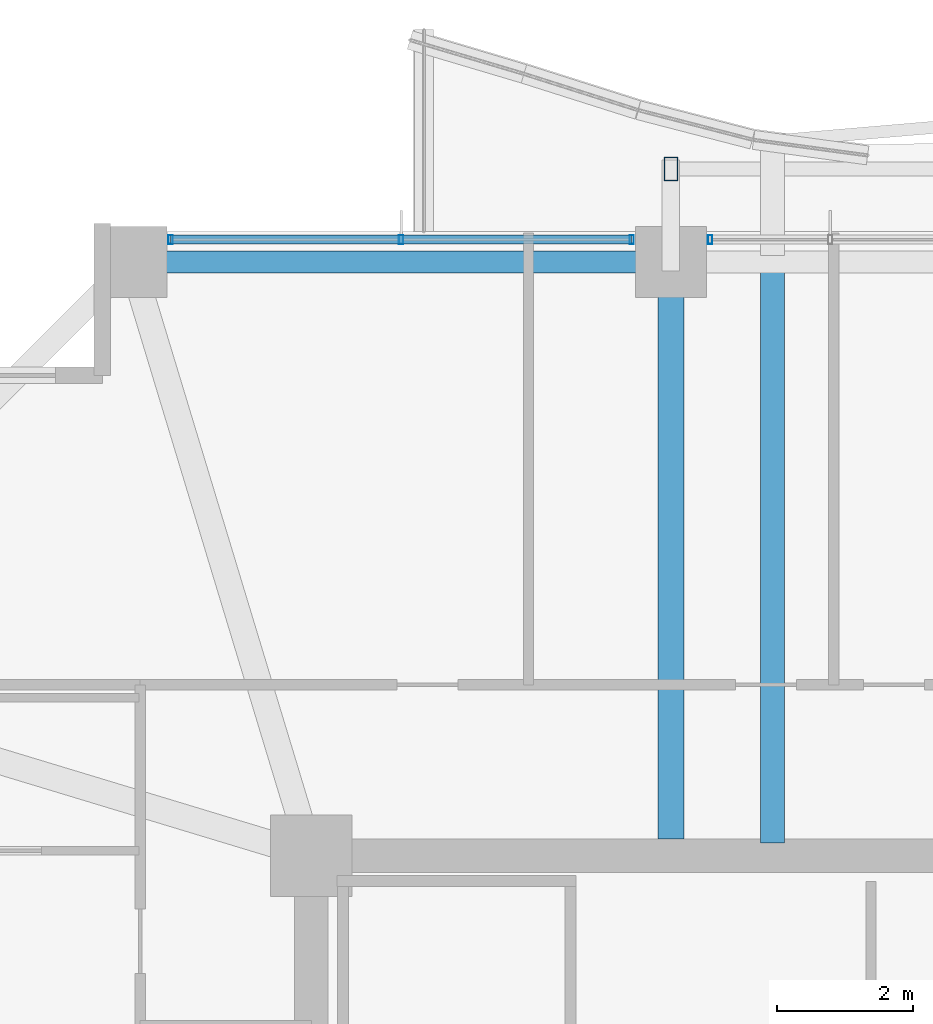
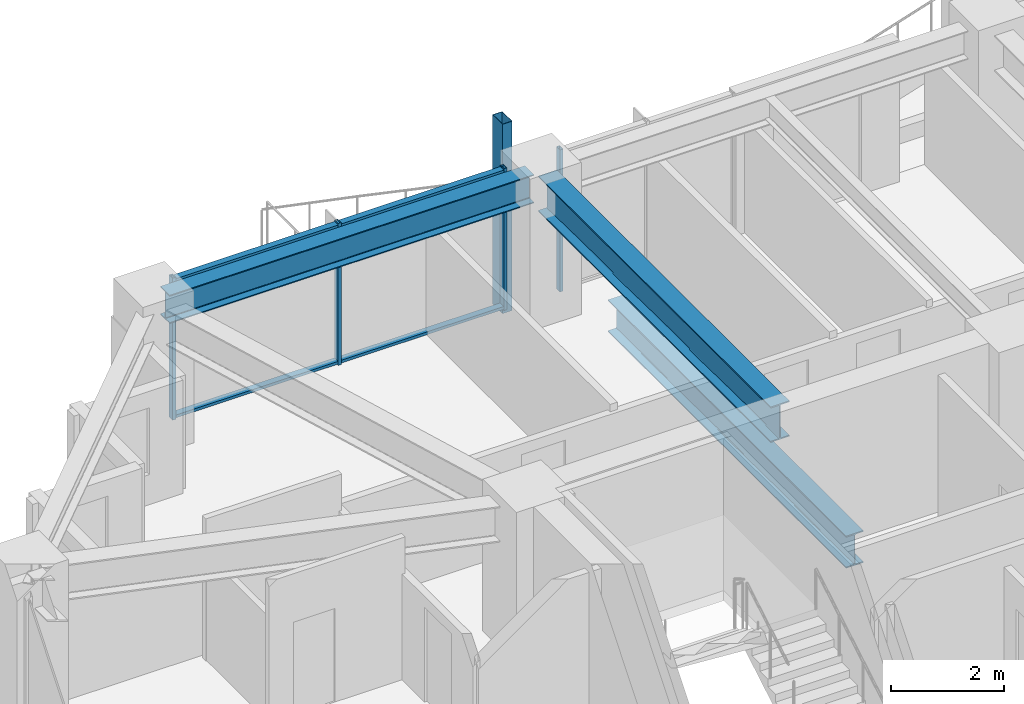
# One storey, part 17 of 34: 7 members, 3 beams, 2 elements without a shape of their own.
"""IFC4 building model written with IfcOpenShell, lengths in metres."""

import ifcopenshell
import ifcopenshell.guid

model = None  # the IFC model being written
_history = None  # IfcOwnerHistory: only IFC2X3 demands one
_inside = {}  # id of a spatial element -> (the spatial element, [elements in it])
_under = {}  # id of a project, library or spatial element -> (it, [spatial elements below it])
_declared = {}  # id of a project -> (the project, [libraries it declares])
_typed = {}  # id of a type object -> (the type object, [elements of that type])
_made_of = {}  # id of a material, layer set ... -> (it, [elements and type objects made of it])


def new_model(schema):
    """Start an empty IFC model of exactly this schema.

    Asked for "IFC4X3", IfcOpenShell would pick the latest addendum, in which some entities
    have other attributes; the version numbers below select the first issue.
    IFC2X3 requires an IfcOwnerHistory on every rooted entity: one is made here for all.
    """
    global model, _history
    if schema == "IFC4X3":
        model = ifcopenshell.file(schema_version=(4, 3, 0, 0))
    else:
        model = ifcopenshell.file(schema=schema)
    _inside.clear()
    _under.clear()
    _declared.clear()
    _typed.clear()
    _made_of.clear()
    _history = None
    if model.schema == "IFC2X3":
        org = make("IfcOrganization", Name="unknown")
        user = make(
            "IfcPersonAndOrganization",
            ThePerson=make("IfcPerson", FamilyName="unknown"),
            TheOrganization=org,
        )
        app = make(
            "IfcApplication",
            ApplicationDeveloper=org,
            Version="unknown",
            ApplicationFullName="unknown",
            ApplicationIdentifier="unknown",
        )
        _history = make(
            "IfcOwnerHistory",
            OwningUser=user,
            OwningApplication=app,
            ChangeAction="ADDED",
            CreationDate=0,
        )
    return model


def make(cls, **values):
    """One entity of the class cls with the attributes given. An attribute that is None is left unset."""
    return model.create_entity(
        cls, **{name: value for name, value in values.items() if value is not None}
    )


def rooted(cls, **values):
    """An entity with a GlobalId (a new one), such as an element, a storey or a relation."""
    return make(cls, GlobalId=ifcopenshell.guid.new(), OwnerHistory=_history, **values)


def si_unit(unit_type, name, prefix=None):
    """IfcSIUnit, for example si_unit("LENGTHUNIT", "METRE", prefix="MILLI")."""
    return make("IfcSIUnit", UnitType=unit_type, Prefix=prefix, Name=name)


def assignment(units):
    """IfcUnitAssignment: the units of a project."""
    return None if units is None else make("IfcUnitAssignment", Units=units)


def point(xyz):
    """IfcCartesianPoint."""
    return None if xyz is None else make("IfcCartesianPoint", Coordinates=xyz)


def direction(xyz):
    """IfcDirection."""
    return None if xyz is None else make("IfcDirection", DirectionRatios=xyz)


def frame(location, z_axis=None, x_axis=None):
    """IfcAxis2Placement3D, a coordinate frame: its origin and axes. An axis left out is left unset."""
    return make(
        "IfcAxis2Placement3D",
        Location=point(location),
        Axis=direction(z_axis),
        RefDirection=direction(x_axis),
    )


def frame_2d(location, x_axis=None):
    """IfcAxis2Placement2D, a coordinate frame in the plane: its origin and x axis."""
    return make(
        "IfcAxis2Placement2D", Location=point(location), RefDirection=direction(x_axis)
    )


def origin():
    """The frame at (0, 0, 0) with its axes left unset."""
    return frame((0.0, 0.0, 0.0))


def origin_2d():
    """The frame at (0, 0) in the plane with its x axis left unset."""
    return frame_2d((0.0, 0.0))


def place(relative_to, where):
    """IfcLocalPlacement: puts the frame where relative to a parent placement (None: the world)."""
    return make(
        "IfcLocalPlacement", PlacementRelTo=relative_to, RelativePlacement=where
    )


def context(
    kind, dimensions, precision=None, world=None, true_north=None, identifier=None
):
    """IfcGeometricRepresentationContext, for example the 3D "Model" context."""
    return make(
        "IfcGeometricRepresentationContext",
        ContextIdentifier=identifier,
        ContextType=kind,
        CoordinateSpaceDimension=dimensions,
        Precision=precision,
        WorldCoordinateSystem=world,
        TrueNorth=true_north,
    )


def subcontext(parent, identifier, kind, view, scale=None):
    """IfcGeometricRepresentationSubContext, for example "Body" below "Model"."""
    return make(
        "IfcGeometricRepresentationSubContext",
        ContextIdentifier=identifier,
        ContextType=kind,
        ParentContext=parent,
        TargetScale=scale,
        TargetView=view,
    )


def project(units=None, contexts=None):
    """IfcProject with its units and contexts."""
    return rooted(
        "IfcProject",
        Name="project",
        RepresentationContexts=contexts,
        UnitsInContext=assignment(units),
    )


def spatial(cls, under=None, at=None, **own):
    """A site, building, storey or space (cls), placed at a placement, below another one or the project."""
    s = rooted(cls, ObjectPlacement=at, **own)
    if under is not None:
        _under.setdefault(under.id(), (under, []))[1].append(s)
    return s


def profile(cls, at=None, kind="AREA", **sizes):
    """A parametric profile (cls). Its sizes go by their IFC names, for example OverallWidth=200.0."""
    return make(cls, ProfileType=kind, Position=at, **sizes)


def hollow_rectangle(**sizes):
    """IfcRectangleHollowProfileDef."""
    return profile("IfcRectangleHollowProfileDef", **sizes)


def i_section(**sizes):
    """IfcIShapeProfileDef."""
    return profile("IfcIShapeProfileDef", **sizes)


def extrude(swept, where, along, depth):
    """IfcExtrudedAreaSolid: the profile swept, set in the frame where, extruded along a direction by depth."""
    return make(
        "IfcExtrudedAreaSolid",
        SweptArea=swept,
        Position=where,
        ExtrudedDirection=direction(along),
        Depth=depth,
    )


def shape(context_of_items, identifier, shape_type, items):
    """IfcShapeRepresentation: the items that make up one representation, for example the "Body"."""
    return make(
        "IfcShapeRepresentation",
        ContextOfItems=context_of_items,
        RepresentationIdentifier=identifier,
        RepresentationType=shape_type,
        Items=items,
    )


def material(Name=None, Category=None):
    """IfcMaterial."""
    return make("IfcMaterial", Name=Name, Category=Category)


def material_profile(
    of_material, cross_section, Name=None, Category=None, Priority=None
):
    """IfcMaterialProfile: a cross section and its material."""
    return make(
        "IfcMaterialProfile",
        Name=Name,
        Material=of_material,
        Profile=cross_section,
        Priority=Priority,
        Category=Category,
    )


def profile_set(profiles, Name=None, composite=None):
    """IfcMaterialProfileSet."""
    return make(
        "IfcMaterialProfileSet",
        Name=Name,
        MaterialProfiles=profiles,
        CompositeProfile=composite,
    )


def made_of(thing, what):
    """Note that an element or type object is made of a material, layer set ...; save() writes the relation."""
    if what is not None:
        _made_of.setdefault(what.id(), (what, []))[1].append(thing)
    return thing


def type_object(cls, material=None, **own):
    """A type object (cls), such as IfcWallType, which elements share."""
    return made_of(rooted(cls, **own), material)


def element(
    cls,
    number,
    at=None,
    inside=None,
    cuts=None,
    type_object=None,
    material=None,
    context=None,
    identifier="Body",
    shape_type=None,
    held_by="IfcProductDefinitionShape",
    body=None,
    shapes=None,
    **own,
):
    """One element of the class cls, such as IfcWall. Its Tag is "e" and its number.

    at: its placement. inside: the storey or other place that contains it. cuts: it is an
    opening in that element (IfcRelVoidsElement). A single representation is given by context,
    identifier, shape_type and body (its items); several are given by shapes. held_by: the class
    of the entity that holds the representations. save() writes the other relations.
    """
    e = rooted(cls, Tag="e%d" % number, ObjectPlacement=at, **own)
    if body is not None:
        shapes = [shape(context, identifier, shape_type, body)]
    if shapes is not None:
        e.Representation = make(held_by, Representations=shapes)
    if inside is not None:
        _inside.setdefault(inside.id(), (inside, []))[1].append(e)
    if cuts is not None:
        rooted(
            "IfcRelVoidsElement", RelatingBuildingElement=cuts, RelatedOpeningElement=e
        )
    if type_object is not None:
        _typed.setdefault(type_object.id(), (type_object, []))[1].append(e)
    return made_of(e, material)


def aggregate(whole, parts):
    """IfcRelAggregates: a whole, such as a stair, and the parts it consists of."""
    return rooted("IfcRelAggregates", RelatingObject=whole, RelatedObjects=parts)


def save(model, path):
    """Write the relations noted so far, then the file.

    IfcRelAggregates (storeys below a building ...), IfcRelContainedInSpatialStructure (elements
    in a storey), IfcRelDefinesByType, IfcRelAssociatesMaterial and IfcRelDeclares: one each for
    every whole, place, type object, material and project.
    """
    for whole, parts in _under.values():
        aggregate(whole, parts)
    for where, things in _inside.values():
        rooted(
            "IfcRelContainedInSpatialStructure",
            RelatedElements=things,
            RelatingStructure=where,
        )
    for kind, things in _typed.values():
        rooted("IfcRelDefinesByType", RelatedObjects=things, RelatingType=kind)
    for what, things in _made_of.values():
        rooted("IfcRelAssociatesMaterial", RelatedObjects=things, RelatingMaterial=what)
    for by, libraries in _declared.values():
        rooted("IfcRelDeclares", RelatingContext=by, RelatedDefinitions=libraries)
    model.write(path)


model = new_model("IFC4")

# Units and contexts
model_context = context("Model", 3, precision=1e-05, world=origin(), true_north=direction((0.0, 1.0)))
body_context = subcontext(model_context, "Body", "Model", "MODEL_VIEW")
ifc_project = project(units=[si_unit("LENGTHUNIT", "METRE"), si_unit("AREAUNIT", "SQUARE_METRE"), si_unit("VOLUMEUNIT", "CUBIC_METRE"), si_unit("PLANEANGLEUNIT", "RADIAN"), si_unit("MASSUNIT", "GRAM", prefix="KILO")], contexts=[model_context])

# Site, building, storey
site_placement = place(None, origin())
site = spatial("IfcSite", under=ifc_project, at=site_placement, CompositionType="ELEMENT")
building_placement = place(site_placement, origin())
building = spatial("IfcBuilding", under=site, at=building_placement, Name="Kolvaren Belvedere", CompositionType="ELEMENT")
storey_placement = place(building_placement, frame((0.0, 0.0, 111.800048828125)))
storey = spatial("IfcBuildingStorey", under=building, at=storey_placement, Name="L32", CompositionType="ELEMENT", Elevation=111.800048828125)

# Beams
ifc_material_1 = material(Name="Structural steel ASTM A992 Grade 50", Category="steel")
ifc_material_profile_1 = material_profile(ifc_material_1, i_section(OverallWidth=0.35498046875, OverallDepth=0.696044921875, WebThickness=0.015380859375, FlangeThickness=0.02490234375, FilletRadius=0.02197265625, at=origin_2d()), Name="W27X146")
ifc_profile_set_1 = profile_set([ifc_material_profile_1], Name="Structural steel ASTM A992 Grade 50")
beam_type_1 = type_object("IfcBeamType", Name="BM-GIRD-W27X146", PredefinedType="BEAM", material=ifc_profile_set_1)
beam_1_placement = place(storey_placement, frame((-3.10009765625, 10.090087890625, -0.568115234375), z_axis=(0.0, 1.0, 0.0), x_axis=(-1.0, 0.0, 0.0)))
element("IfcBeam", 1, at=beam_1_placement, inside=storey, type_object=beam_type_1, Name="L32 Balcony Interior Back-Span Girder BAL-N-1", PredefinedType="BEAM", context=body_context, shape_type="SweptSolid", body=[
    extrude(i_section(OverallWidth=0.35498046875, OverallDepth=0.696044921875, WebThickness=0.015380859375, FlangeThickness=0.02490234375, FilletRadius=0.02197265625, at=origin_2d()), origin(), (0.0, 0.0, 1.0), 8.46484375),
])
ifc_material_2 = material(Name="Structural steel ASTM A992 Grade 50", Category="steel")
ifc_material_profile_2 = material_profile(ifc_material_2, i_section(OverallWidth=0.381103515625, OverallDepth=0.77294921875, WebThickness=0.0166015625, FlangeThickness=0.027099609375, FilletRadius=0.02392578125, at=origin_2d()), Name="W30X173")
ifc_profile_set_2 = profile_set([ifc_material_profile_2], Name="Structural steel ASTM A992 Grade 50")
beam_type_2 = type_object("IfcBeamType", Name="BM-GIRD-W30X173", PredefinedType="BEAM", material=ifc_profile_set_2)
beam_2_placement = place(storey_placement, frame((-4.60009765625, 10.14990234375, 2.693359375), z_axis=(0.0, 1.0, 0.0), x_axis=(-1.0, 0.0, 0.0)))
element("IfcBeam", 2, at=beam_2_placement, inside=storey, type_object=beam_type_2, Name="L32 North Radial Girder M", PredefinedType="BEAM", context=body_context, shape_type="SweptSolid", body=[
    extrude(i_section(OverallWidth=0.381103515625, OverallDepth=0.77294921875, WebThickness=0.0166015625, FlangeThickness=0.027099609375, FilletRadius=0.02392578125, at=origin_2d()), origin(), (0.0, 0.0, 1.0), 8.263916015625),
])
ifc_material_3 = material(Name="Structural steel ASTM A992 Grade 50", Category="steel")
ifc_material_profile_3 = material_profile(ifc_material_3, i_section(OverallWidth=0.324951171875, OverallDepth=0.615966796875, WebThickness=0.013916015625, FlangeThickness=0.021484375, FilletRadius=0.02001953125, at=origin_2d()), Name="W24X117")
ifc_profile_set_3 = profile_set([ifc_material_profile_3], Name="Structural steel ASTM A992 Grade 50")
beam_type_3 = type_object("IfcBeamType", Name="BM-SPAN-W24X117", PredefinedType="SPANDREL", material=ifc_profile_set_3)
beam_3_placement = place(storey_placement, frame((-4.836181640625, 18.64990234375, 2.77197265625), z_axis=(-1.0, 0.0, 0.0), x_axis=(0.0, -1.0, 0.0)))
element("IfcBeam", 3, at=beam_3_placement, inside=storey, type_object=beam_type_3, Name="L32 Perimeter Spandrel N2-N1", PredefinedType="SPANDREL", context=body_context, shape_type="SweptSolid", body=[
    extrude(i_section(OverallWidth=0.324951171875, OverallDepth=0.615966796875, WebThickness=0.013916015625, FlangeThickness=0.021484375, FilletRadius=0.02001953125, at=origin_2d()), origin(), (0.0, 0.0, 1.0), 7.4775390625),
])

# Curtain wall, members
ifc_material_4 = material(Name="Anodised pale-metal aluminium AA 6063-T6", Category="aluminium")
curtain_wall_type = type_object("IfcCurtainWallType", Name="CW-Z3-WAIST", PredefinedType="NOTDEFINED", material=ifc_material_4)
curtain_wall_1_placement = place(storey_placement, origin())
curtain_wall_1 = element("IfcCurtainWall", 4, at=curtain_wall_1_placement, inside=storey, type_object=curtain_wall_type, Name="L32 Unitised Curtain Wall FCW-L32-N1-B1", PredefinedType="NOTDEFINED")
ifc_material_5 = material(Name="Anodised pale-metal aluminium AA 6063-T6", Category="aluminium")
ifc_material_profile_4 = material_profile(ifc_material_5, hollow_rectangle(XDim=0.06494140625, YDim=0.1298828125, WallThickness=0.00390625, at=origin_2d()), Name="ALU-MUL-130X65")
ifc_profile_set_4 = profile_set([ifc_material_profile_4], Name="Anodised pale-metal aluminium AA 6063-T6")
member_type_1 = type_object("IfcMemberType", Name="CW-MUL-130", PredefinedType="MULLION", material=ifc_profile_set_4)
member_1_placement = place(storey_placement, frame((-11.972412109375, 18.97998046875, 0.0), z_axis=(0.0, 0.0, 1.0), x_axis=(1.0, 0.0, 0.0)))
member_1 = element("IfcMember", 5, at=member_1_placement, type_object=member_type_1, Name="FCW-L32-N1-B1 Unitised Mullion 1", PredefinedType="MULLION", context=body_context, shape_type="SweptSolid", body=[
    extrude(hollow_rectangle(XDim=0.06494140625, YDim=0.1298828125, WallThickness=0.00390625, at=origin_2d()), origin(), (0.0, 0.0, 1.0), 3.079833984375),
])
member_2_placement = place(storey_placement, frame((-8.574951171875, 18.97998046875, 0.0), z_axis=(0.0, 0.0, 1.0), x_axis=(1.0, 0.0, 0.0)))
member_2 = element("IfcMember", 6, at=member_2_placement, type_object=member_type_1, Name="FCW-L32-N1-B1 Unitised Mullion 2", PredefinedType="MULLION", context=body_context, shape_type="SweptSolid", body=[
    extrude(hollow_rectangle(XDim=0.06494140625, YDim=0.1298828125, WallThickness=0.00390625, at=origin_2d()), origin(), (0.0, 0.0, 1.0), 3.079833984375),
])
member_3_placement = place(storey_placement, frame((-5.177490234375, 18.97998046875, 0.0), z_axis=(0.0, 0.0, 1.0), x_axis=(1.0, 0.0, 0.0)))
member_3 = element("IfcMember", 7, at=member_3_placement, type_object=member_type_1, Name="FCW-L32-N1-B1 Unitised Mullion 3", PredefinedType="MULLION", context=body_context, shape_type="SweptSolid", body=[
    extrude(hollow_rectangle(XDim=0.06494140625, YDim=0.1298828125, WallThickness=0.00390625, at=origin_2d()), origin(), (0.0, 0.0, 1.0), 3.079833984375),
])

# Curtain wall, member
curtain_wall_2_placement = place(storey_placement, origin())
curtain_wall_2 = element("IfcCurtainWall", 8, at=curtain_wall_2_placement, inside=storey, type_object=curtain_wall_type, Name="L32 Unitised Curtain Wall FCW-L32-N1-B2", PredefinedType="NOTDEFINED")
member_4_placement = place(storey_placement, frame((-4.0224609375, 18.97998046875, 0.0), z_axis=(0.0, 0.0, 1.0), x_axis=(1.0, 0.0, 0.0)))
member_4 = element("IfcMember", 9, at=member_4_placement, type_object=member_type_1, Name="FCW-L32-N1-B2 Unitised Mullion 1", PredefinedType="MULLION", context=body_context, shape_type="SweptSolid", body=[
    extrude(hollow_rectangle(XDim=0.06494140625, YDim=0.1298828125, WallThickness=0.00390625, at=origin_2d()), origin(), (0.0, 0.0, 1.0), 3.079833984375),
])
aggregate(curtain_wall_2, [member_4])

# Member
ifc_material_6 = material(Name="Anodised pale-metal aluminium AA 6063-T6", Category="aluminium")
ifc_material_profile_5 = material_profile(ifc_material_6, hollow_rectangle(XDim=0.06005859375, YDim=0.1298828125, WallThickness=0.00390625, at=origin_2d()), Name="ALU-TRN-130X60")
ifc_profile_set_5 = profile_set([ifc_material_profile_5], Name="Anodised pale-metal aluminium AA 6063-T6")
member_type_2 = type_object("IfcMemberType", Name="CW-TRN-130", PredefinedType="USERDEFINED", material=ifc_profile_set_5)
member_5_placement = place(storey_placement, frame((-11.972412109375, 18.97998046875, 0.06005859375), z_axis=(1.0, 0.0, 0.0), x_axis=(0.0, 0.0, 1.0)))
member_5 = element("IfcMember", 10, at=member_5_placement, type_object=member_type_2, Name="FCW-L32-N1-B1 Sill Transom", ObjectType="TRANSOM", PredefinedType="USERDEFINED", context=body_context, shape_type="SweptSolid", body=[
    extrude(hollow_rectangle(XDim=0.06005859375, YDim=0.1298828125, WallThickness=0.00390625, at=origin_2d()), origin(), (0.0, 0.0, 1.0), 6.794921875),
])

member_6_placement = place(storey_placement, frame((-11.972412109375, 18.97998046875, 3.02001953125), z_axis=(1.0, 0.0, 0.0), x_axis=(0.0, 0.0, 1.0)))
member_6 = element("IfcMember", 11, at=member_6_placement, type_object=member_type_2, Name="FCW-L32-N1-B1 Head Transom", ObjectType="TRANSOM", PredefinedType="USERDEFINED", context=body_context, shape_type="SweptSolid", body=[
    extrude(hollow_rectangle(XDim=0.06005859375, YDim=0.1298828125, WallThickness=0.00390625, at=origin_2d()), origin(), (0.0, 0.0, 1.0), 6.794921875),
])

aggregate(curtain_wall_1, [member_1, member_2, member_3, member_5, member_6])

ifc_material_7 = material(Name="Anodised pale-metal aluminium AA 6063-T6", Category="aluminium")
ifc_material_profile_6 = material_profile(ifc_material_7, hollow_rectangle(XDim=0.199951171875, YDim=0.35009765625, WallThickness=0.007568359375, at=origin_2d()), Name="ALU-PF-350X200")
ifc_profile_set_6 = profile_set([ifc_material_profile_6], Name="Anodised pale-metal aluminium AA 6063-T6")
member_type_3 = type_object("IfcMemberType", Name="PF-FRAME-350", PredefinedType="USERDEFINED", material=ifc_profile_set_6)
member_7_placement = place(storey_placement, frame((-4.60009765625, 20.02001953125, -0.81005859375), z_axis=(0.0, 0.0, 1.0), x_axis=(1.0, 0.0, 0.0)))
element("IfcMember", 12, at=member_7_placement, inside=storey, type_object=member_type_3, Name="L32 Outboard Picture-Frame Vertical N1", ObjectType="PICTURE FRAME FIN", PredefinedType="USERDEFINED", context=body_context, shape_type="SweptSolid", body=[
    extrude(hollow_rectangle(XDim=0.199951171875, YDim=0.35009765625, WallThickness=0.007568359375, at=origin_2d()), origin(), (0.0, 0.0, 1.0), 4.110107421875),
])

save(model, "model.ifc")
